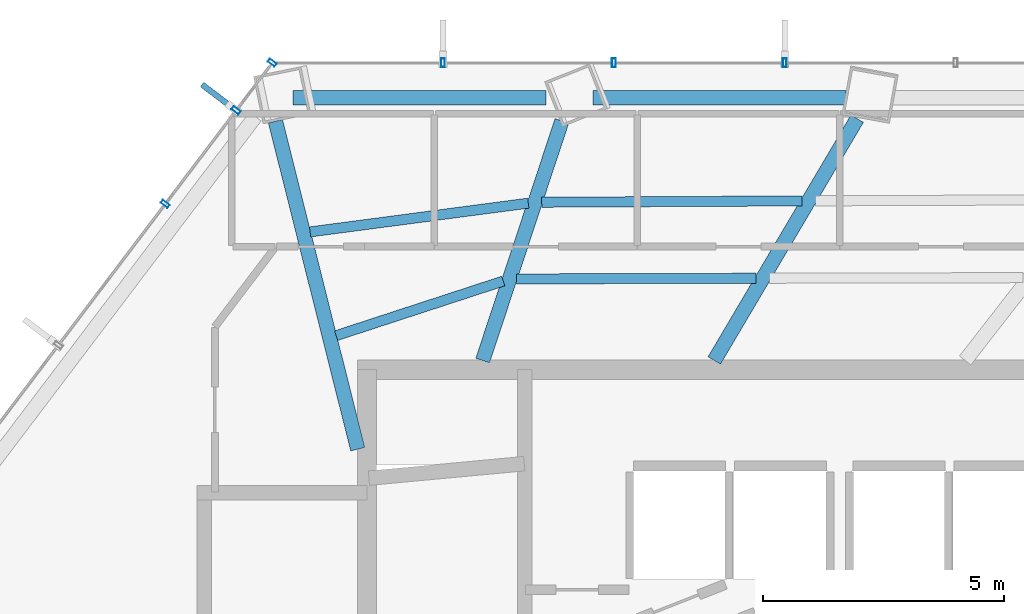
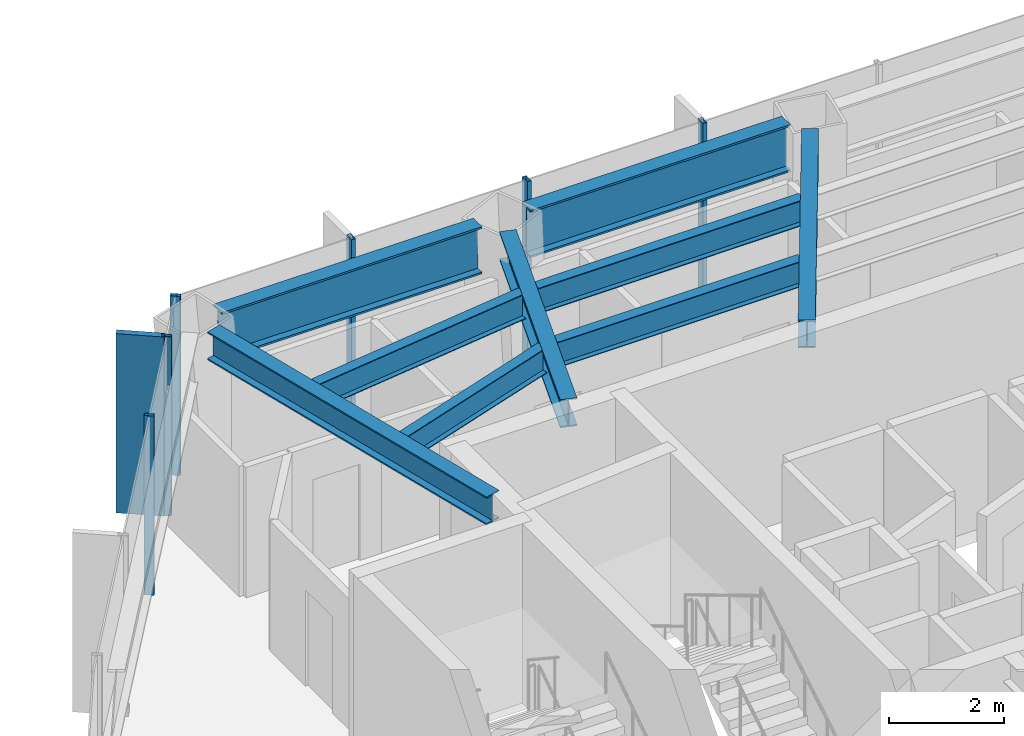
# One storey, part 11 of 24: 9 beams, 7 members, 2 elements without a shape of their own.
"""IFC4 building model written with IfcOpenShell, lengths in metres."""

from ifc_helpers import new_model, si_unit, direction, frame, origin, origin_2d, place, context, subcontext, project, spatial, rectangle, hollow_rectangle, i_section, extrude, material, layer, layer_set, material_profile, profile_set, type_object, element, aggregate, save


model = new_model("IFC4")

# Units and contexts
model_context = context("Model", 3, precision=1e-05, world=origin(), true_north=direction((0.0, 1.0)))
body_context = subcontext(model_context, "Body", "Model", "MODEL_VIEW")
ifc_project = project(units=[si_unit("LENGTHUNIT", "METRE"), si_unit("AREAUNIT", "SQUARE_METRE"), si_unit("VOLUMEUNIT", "CUBIC_METRE"), si_unit("PLANEANGLEUNIT", "RADIAN"), si_unit("MASSUNIT", "GRAM", prefix="KILO")], contexts=[model_context])

# Site, building, storey
site_placement = place(None, origin())
site = spatial("IfcSite", under=ifc_project, at=site_placement, CompositionType="ELEMENT")
building_placement = place(site_placement, origin())
building = spatial("IfcBuilding", under=site, at=building_placement, Name="Zarrinselat Tower", CompositionType="ELEMENT")
storey_placement = place(building_placement, frame((0.0, 0.0, 68.340087890625)))
storey = spatial("IfcBuildingStorey", under=building, at=storey_placement, Name="L16", CompositionType="ELEMENT", Elevation=68.340087890625)

# Beams
ifc_material_1 = material(Name="Steel S355J2", Category="steel")
ifc_material_profile_1 = material_profile(ifc_material_1, i_section(OverallWidth=0.300048828125, OverallDepth=0.60009765625, WebThickness=0.015380859375, FlangeThickness=0.030029296875, at=origin_2d()), Name="HEB 600")
ifc_profile_set_1 = profile_set([ifc_material_profile_1], Name="Steel S355J2")
beam_type_1 = type_object("IfcBeamType", Name="BM-HEB600", PredefinedType="BEAM", material=ifc_profile_set_1)
beam_1_placement = place(storey_placement, frame((35.800048828125, 43.639892578125, 3.52001953125), z_axis=(0.508791484313, 0.860889787075, 0.0), x_axis=(-0.860889787075, 0.508791484313, 0.0)))
element("IfcBeam", 1, at=beam_1_placement, inside=storey, type_object=beam_type_1, Name="L16 Radial Primary Girder RG03", PredefinedType="BEAM", context=body_context, shape_type="SweptSolid", body=[
    extrude(i_section(OverallWidth=0.300048828125, OverallDepth=0.60009765625, WebThickness=0.015380859375, FlangeThickness=0.030029296875, at=origin_2d()), origin(), (0.0, 0.0, 1.0), 5.821044921875),
])
beam_2_placement = place(storey_placement, frame((31.0, 43.639892578125, 3.52001953125), z_axis=(0.313818502812, 0.94948298947, 0.0), x_axis=(-0.94948298947, 0.313818502812, 0.0)))
element("IfcBeam", 2, at=beam_2_placement, inside=storey, type_object=beam_type_1, Name="L16 Radial Primary Girder RG04", PredefinedType="BEAM", context=body_context, shape_type="SweptSolid", body=[
    extrude(i_section(OverallWidth=0.300048828125, OverallDepth=0.60009765625, WebThickness=0.015380859375, FlangeThickness=0.030029296875, at=origin_2d()), origin(), (0.0, 0.0, 1.0), 5.23095703125),
])
beam_3_placement = place(storey_placement, frame((26.70361328125, 48.596435546875, 3.52001953125), z_axis=(0.243502851017, -0.969900181228, 0.0), x_axis=(0.969900181228, 0.243502851017, 0.0)))
element("IfcBeam", 3, at=beam_3_placement, inside=storey, type_object=beam_type_1, Name="L16 Radial Primary Girder RG05", PredefinedType="BEAM", context=body_context, shape_type="SweptSolid", body=[
    extrude(i_section(OverallWidth=0.300048828125, OverallDepth=0.60009765625, WebThickness=0.015380859375, FlangeThickness=0.030029296875, at=origin_2d()), origin(), (0.0, 0.0, 1.0), 7.00732421875),
])
ifc_material_2 = material(Name="Steel S460M", Category="steel")
ifc_material_profile_2 = material_profile(ifc_material_2, i_section(OverallWidth=0.302001953125, OverallDepth=1.008056640625, WebThickness=0.02099609375, FlangeThickness=0.0400390625, at=origin_2d()), Name="HEM 1000")
ifc_profile_set_2 = profile_set([ifc_material_profile_2], Name="Steel S460M")
beam_type_2 = type_object("IfcBeamType", Name="BM-HEM1000", PredefinedType="BEAM", material=ifc_profile_set_2)
for number, where, z_axis, x_axis, name in (
    (4, (33.287109375, 49.083251953125, 3.31591796875), (1.0, 0.0, 0.0), (0.0, 1.0, 0.0), "L16 Perimeter Spandrel Girder SP03"),
    (5, (27.069091796875, 49.083251953125, 3.31591796875), (1.0, 0.0, 0.0), (0.0, 1.0, 0.0), "L16 Perimeter Spandrel Girder SP04"),
):
    element("IfcBeam", number, at=place(storey_placement, frame(where, z_axis=z_axis, x_axis=x_axis)), inside=storey, type_object=beam_type_2, Name=name, PredefinedType="BEAM", context=body_context, shape_type="SweptSolid", body=[
        extrude(i_section(OverallWidth=0.302001953125, OverallDepth=1.008056640625, WebThickness=0.02099609375, FlangeThickness=0.0400390625, at=origin_2d()), origin(), (0.0, 0.0, 1.0), 5.2421875),
    ])
ifc_material_3 = material(Name="Steel S355J2", Category="steel")
ifc_material_profile_3 = material_profile(ifc_material_3, i_section(OverallWidth=0.2099609375, OverallDepth=0.550048828125, WebThickness=0.010986328125, FlangeThickness=0.01708984375, at=origin_2d()), Name="IPE 550")
ifc_profile_set_3 = profile_set([ifc_material_profile_3], Name="Steel S355J2")
beam_type_3 = type_object("IfcBeamType", Name="BM-IPE550", PredefinedType="JOIST", material=ifc_profile_set_3)
beam_4_placement = place(storey_placement, frame((32.223388671875, 46.918701171875, 3.544921875), z_axis=(0.999986675378, 0.005162273287, 0.0), x_axis=(-0.005162273287, 0.999986675378, 0.0)))
element("IfcBeam", 6, at=beam_4_placement, inside=storey, type_object=beam_type_3, Name="L16 Composite Floor Joist 9-1", PredefinedType="JOIST", context=body_context, shape_type="SweptSolid", body=[
    extrude(i_section(OverallWidth=0.2099609375, OverallDepth=0.550048828125, WebThickness=0.010986328125, FlangeThickness=0.01708984375, at=origin_2d()), origin(), (0.0, 0.0, 1.0), 5.391357421875),
])
beam_5_placement = place(storey_placement, frame((31.6982421875, 45.3291015625, 3.544921875), z_axis=(0.99999579799, 0.002898965806, 0.0), x_axis=(-0.002898965806, 0.99999579799, 0.0)))
element("IfcBeam", 7, at=beam_5_placement, inside=storey, type_object=beam_type_3, Name="L16 Composite Floor Joist 9-2", PredefinedType="JOIST", context=body_context, shape_type="SweptSolid", body=[
    extrude(i_section(OverallWidth=0.2099609375, OverallDepth=0.550048828125, WebThickness=0.010986328125, FlangeThickness=0.01708984375, at=origin_2d()), origin(), (0.0, 0.0, 1.0), 4.96875),
])
beam_6_placement = place(storey_placement, frame((27.422607421875, 46.303955078125, 3.544921875), z_axis=(0.991434242957, 0.130606821769, 0.0), x_axis=(-0.130606821769, 0.991434242957, 0.0)))
element("IfcBeam", 8, at=beam_6_placement, inside=storey, type_object=beam_type_3, Name="L16 Composite Floor Joist 10-1", PredefinedType="JOIST", context=body_context, shape_type="SweptSolid", body=[
    extrude(i_section(OverallWidth=0.2099609375, OverallDepth=0.550048828125, WebThickness=0.010986328125, FlangeThickness=0.01708984375, at=origin_2d()), origin(), (0.0, 0.0, 1.0), 4.56103515625),
])
beam_7_placement = place(storey_placement, frame((27.962890625, 44.154296875, 3.544921875), z_axis=(0.950576389281, 0.310490785921, 0.0), x_axis=(-0.310490785921, 0.950576389281, 0.0)))
element("IfcBeam", 9, at=beam_7_placement, inside=storey, type_object=beam_type_3, Name="L16 Composite Floor Joist 10-2", PredefinedType="JOIST", context=body_context, shape_type="SweptSolid", body=[
    extrude(i_section(OverallWidth=0.2099609375, OverallDepth=0.550048828125, WebThickness=0.010986328125, FlangeThickness=0.01708984375, at=origin_2d()), origin(), (0.0, 0.0, 1.0), 3.64208984375),
])

# Curtain wall, members
ifc_material_4 = material(Name="Extruded Aluminium Alloy EN AW-6063 T6", Category="aluminium")
ifc_layer = layer(ifc_material_4, 0.18505859375)
ifc_layer_set = layer_set([ifc_layer], Name="Extruded Aluminium Alloy EN AW-6063 T6")
curtain_wall_type = type_object("IfcCurtainWallType", Name="CWS-OFF", PredefinedType="NOTDEFINED", material=ifc_layer_set)
curtain_wall_1_placement = place(storey_placement, origin())
curtain_wall_1 = element("IfcCurtainWall", 10, at=curtain_wall_1_placement, inside=storey, type_object=curtain_wall_type, Name="L16 Unitised Curtain Wall CW-L16-E01", PredefinedType="NOTDEFINED")
ifc_material_5 = material(Name="Extruded Aluminium Alloy EN AW-6063 T6", Category="aluminium")
ifc_material_profile_4 = material_profile(ifc_material_5, hollow_rectangle(XDim=0.080078125, YDim=0.179931640625, WallThickness=0.0048828125, at=origin_2d()), Name="RHS 180x80x5")
ifc_profile_set_4 = profile_set([ifc_material_profile_4], Name="Extruded Aluminium Alloy EN AW-6063 T6")
member_type_1 = type_object("IfcMemberType", Name="MEM-CW-MUL", PredefinedType="MULLION", material=ifc_profile_set_4)
member_1_placement = place(storey_placement, frame((24.4189453125, 46.8837890625, 0.0), z_axis=(0.0, 0.0, 1.0), x_axis=(0.603856639456, 0.797092942501, 0.0)))
member_1 = element("IfcMember", 11, at=member_1_placement, type_object=member_type_1, Name="CW-L16-E01 Mullion 4", PredefinedType="MULLION", context=body_context, shape_type="SweptSolid", body=[
    extrude(hollow_rectangle(XDim=0.080078125, YDim=0.179931640625, WallThickness=0.0048828125, at=origin_2d()), origin(), (0.0, 0.0, 1.0), 3.81982421875),
])
member_2_placement = place(storey_placement, frame((25.88818359375, 48.8232421875, 0.0), z_axis=(0.0, 0.0, 1.0), x_axis=(0.603856639456, 0.797092942501, 0.0)))
member_2 = element("IfcMember", 12, at=member_2_placement, type_object=member_type_1, Name="CW-L16-E01 Mullion 5", PredefinedType="MULLION", context=body_context, shape_type="SweptSolid", body=[
    extrude(hollow_rectangle(XDim=0.080078125, YDim=0.179931640625, WallThickness=0.0048828125, at=origin_2d()), origin(), (0.0, 0.0, 1.0), 3.81982421875),
])
member_3_placement = place(storey_placement, frame((26.63671875, 49.81103515625, 0.0), z_axis=(0.0, 0.0, 1.0), x_axis=(0.603856639456, 0.797092942501, 0.0)))
member_3 = element("IfcMember", 13, at=member_3_placement, type_object=member_type_1, Name="CW-L16-E01 Mullion 6", PredefinedType="MULLION", context=body_context, shape_type="SweptSolid", body=[
    extrude(hollow_rectangle(XDim=0.080078125, YDim=0.179931640625, WallThickness=0.0048828125, at=origin_2d()), origin(), (0.0, 0.0, 1.0), 3.81982421875),
])

curtain_wall_2_placement = place(storey_placement, origin())
curtain_wall_2 = element("IfcCurtainWall", 14, at=curtain_wall_2_placement, inside=storey, type_object=curtain_wall_type, Name="L16 Unitised Curtain Wall CW-L16-E02", PredefinedType="NOTDEFINED")
member_4_placement = place(storey_placement, frame((30.177978515625, 49.81103515625, 0.0), z_axis=(0.0, 0.0, 1.0), x_axis=(1.0, 0.0, 0.0)))
member_4 = element("IfcMember", 15, at=member_4_placement, type_object=member_type_1, Name="CW-L16-E02 Mullion 1", PredefinedType="MULLION", context=body_context, shape_type="SweptSolid", body=[
    extrude(hollow_rectangle(XDim=0.080078125, YDim=0.179931640625, WallThickness=0.0048828125, at=origin_2d()), origin(), (0.0, 0.0, 1.0), 3.81982421875),
])
member_5_placement = place(storey_placement, frame((33.71923828125, 49.81103515625, 0.0), z_axis=(0.0, 0.0, 1.0), x_axis=(1.0, 0.0, 0.0)))
member_5 = element("IfcMember", 16, at=member_5_placement, type_object=member_type_1, Name="CW-L16-E02 Mullion 2", PredefinedType="MULLION", context=body_context, shape_type="SweptSolid", body=[
    extrude(hollow_rectangle(XDim=0.080078125, YDim=0.179931640625, WallThickness=0.0048828125, at=origin_2d()), origin(), (0.0, 0.0, 1.0), 3.81982421875),
])
member_6_placement = place(storey_placement, frame((37.260498046875, 49.81103515625, 0.0), z_axis=(0.0, 0.0, 1.0), x_axis=(1.0, 0.0, 0.0)))
member_6 = element("IfcMember", 17, at=member_6_placement, type_object=member_type_1, Name="CW-L16-E02 Mullion 3", PredefinedType="MULLION", context=body_context, shape_type="SweptSolid", body=[
    extrude(hollow_rectangle(XDim=0.080078125, YDim=0.179931640625, WallThickness=0.0048828125, at=origin_2d()), origin(), (0.0, 0.0, 1.0), 3.81982421875),
])
aggregate(curtain_wall_2, [member_4, member_5, member_6])

# Member
ifc_material_6 = material(Name="Honed Cream Travertine Stone", Category="masonry")
ifc_material_profile_5 = material_profile(ifc_material_6, rectangle(XDim=0.1201171875, YDim=0.85009765625, at=origin_2d()), Name="FIN 850x120")
ifc_profile_set_5 = profile_set([ifc_material_profile_5], Name="Honed Cream Travertine Stone")
member_type_2 = type_object("IfcMemberType", Name="MEM-STONE-FIN", PredefinedType="USERDEFINED", material=ifc_profile_set_5)
member_7_placement = place(storey_placement, frame((25.521484375, 49.10107421875, 0.0), z_axis=(0.0, 0.0, 1.0), x_axis=(0.603856639456, 0.797092942501, 0.0)))
member_7 = element("IfcMember", 18, at=member_7_placement, type_object=member_type_2, Name="L16 Stone Shading Fin CW-L16-E01-05", ObjectType="FIN", PredefinedType="USERDEFINED", context=body_context, shape_type="SweptSolid", body=[
    extrude(rectangle(XDim=0.1201171875, YDim=0.85009765625, at=origin_2d()), origin(), (0.0, 0.0, 1.0), 3.81982421875),
])

aggregate(curtain_wall_1, [member_1, member_2, member_7, member_3])

save(model, "model.ifc")
